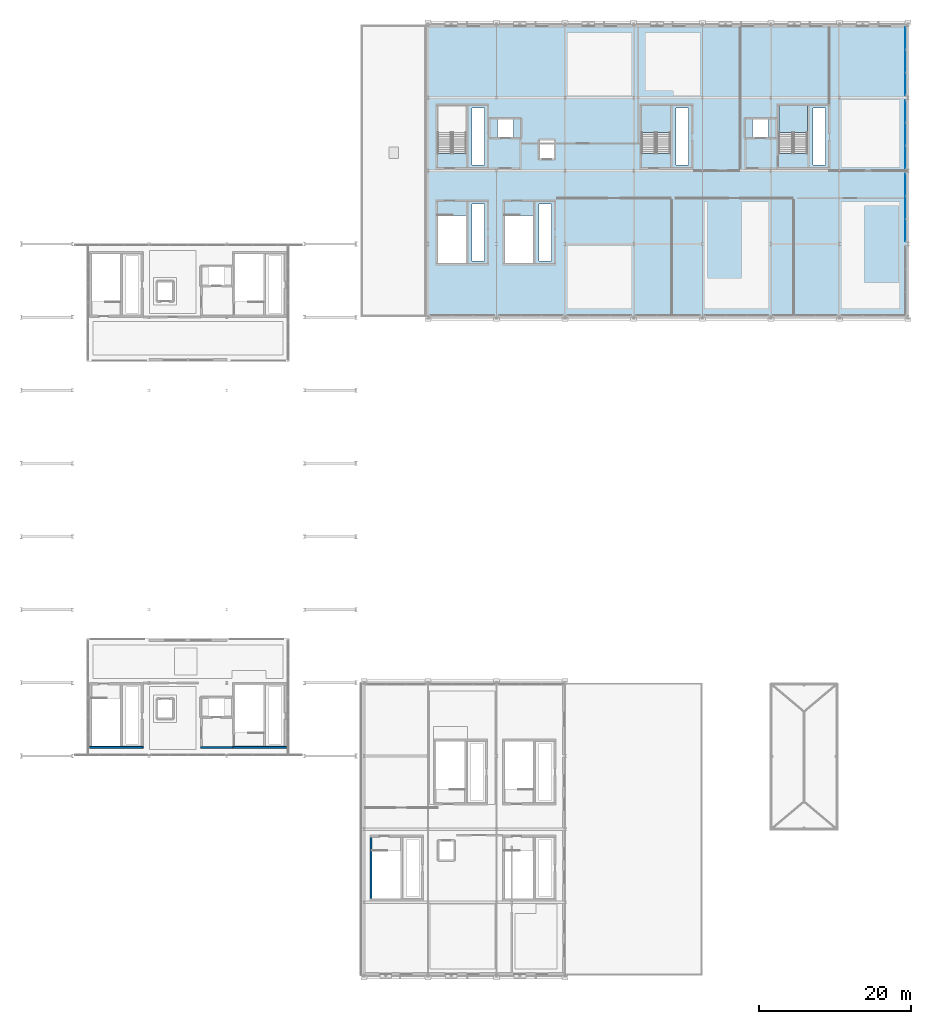
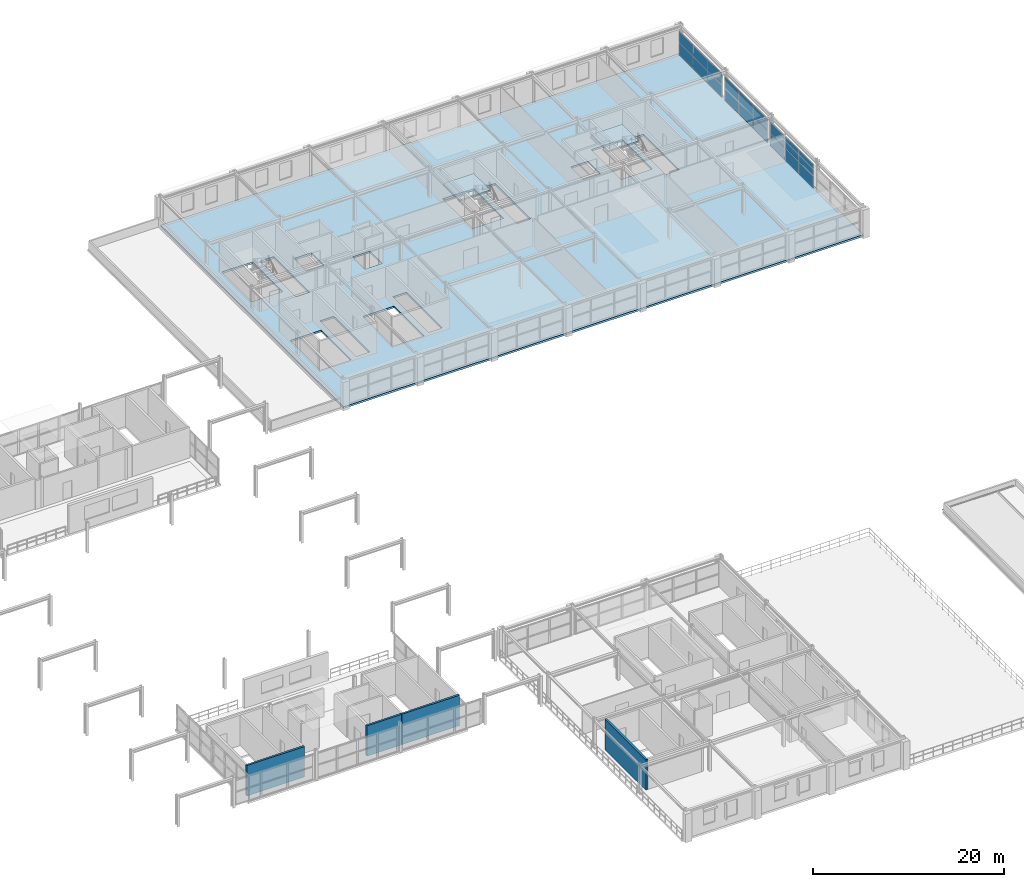
# One storey, part 33 of 52: 18 plates, 4 walls, 3 slabs, 5 elements without a shape of their own.
"""IFC4 building model written with IfcOpenShell, lengths in metres."""

from ifc_helpers import new_model, si_unit, direction, frame, frame_2d, origin, origin_2d, place, context, subcontext, project, spatial, polyline, rectangle, outline, extrude, material, layer, layer_set, type_object, element, aggregate, save


model = new_model("IFC4")

# Units and contexts
model_context = context("Model", 3, precision=1e-05, world=origin(), true_north=direction((0.0, 1.0)))
body_context = subcontext(model_context, "Body", "Model", "MODEL_VIEW")
ifc_project = project(units=[si_unit("LENGTHUNIT", "METRE"), si_unit("AREAUNIT", "SQUARE_METRE"), si_unit("VOLUMEUNIT", "CUBIC_METRE"), si_unit("PLANEANGLEUNIT", "RADIAN"), si_unit("MASSUNIT", "GRAM", prefix="KILO")], contexts=[model_context])

# Site, building, storey
site_placement = place(None, origin())
site = spatial("IfcSite", under=ifc_project, at=site_placement, CompositionType="ELEMENT")
building_placement = place(site_placement, origin())
building = spatial("IfcBuilding", under=site, at=building_placement, Name="Myrtia Square Station", CompositionType="ELEMENT")
storey_placement = place(building_placement, frame((0.0, 0.0, 15.0)))
storey = spatial("IfcBuildingStorey", under=building, at=storey_placement, Name="L03", CompositionType="ELEMENT", Elevation=15.0)

# Curtain wall, plates
ifc_material_1 = material(Name="Dark bronze anodised aluminium", Category="aluminium")
ifc_layer_1 = layer(ifc_material_1, 0.159912109375, Name="Dark bronze anodised aluminium")
ifc_layer_set_1 = layer_set([ifc_layer_1], Name="Dark bronze anodised aluminium")
curtain_wall_type = type_object("IfcCurtainWallType", Name="CW-TYPE-50-905x320", PredefinedType="USERDEFINED", material=ifc_layer_set_1)
curtain_wall_1_placement = place(storey_placement, origin())
curtain_wall_1 = element("IfcCurtainWall", 1, at=curtain_wall_1_placement, inside=storey, type_object=curtain_wall_type, Name="Concourse curtain wall CW-L03-163", ObjectType="CONCOURSE CURTAIN WALL", PredefinedType="USERDEFINED")
ifc_material_2 = material(Name="Tinted low-E solar control glass", Category="glass")
ifc_layer_2 = layer(ifc_material_2, 0.028076171875, Name="Tinted low-E solar control glass")
ifc_layer_set_2 = layer_set([ifc_layer_2], Name="Tinted low-E solar control glass")
plate_type_1 = type_object("IfcPlateType", Name="CWP-GLZ-28", PredefinedType="CURTAIN_PANEL", material=ifc_layer_set_2)
plate_1_placement = place(storey_placement, frame((188.64990234375, 107.402099609375, 0.0751953125), z_axis=(0.0, 0.0, 1.0), x_axis=(0.0, 1.0, 0.0)))
plate_1 = element("IfcPlate", 2, at=plate_1_placement, type_object=plate_type_1, Name="CW-163 panel 1.1", PredefinedType="CURTAIN_PANEL", context=body_context, shape_type="SweptSolid", body=[
    extrude(rectangle(XDim=2.904052734375, YDim=0.028076171875, at=origin_2d()), origin(), (0.0, 0.0, 1.0), 1.551513671875),
])
plate_2_placement = place(storey_placement, frame((188.64990234375, 107.402099609375, 1.70166015625), z_axis=(0.0, 0.0, 1.0), x_axis=(0.0, 1.0, 0.0)))
plate_2 = element("IfcPlate", 3, at=plate_2_placement, type_object=plate_type_1, Name="CW-163 panel 1.2", PredefinedType="CURTAIN_PANEL", context=body_context, shape_type="SweptSolid", body=[
    extrude(rectangle(XDim=2.904052734375, YDim=0.028076171875, at=origin_2d()), origin(), (0.0, 0.0, 1.0), 1.423583984375),
])
plate_3_placement = place(storey_placement, frame((188.64990234375, 110.39990234375, 0.0751953125), z_axis=(0.0, 0.0, 1.0), x_axis=(0.0, 1.0, 0.0)))
plate_3 = element("IfcPlate", 4, at=plate_3_placement, type_object=plate_type_1, Name="CW-163 panel 2.1", PredefinedType="CURTAIN_PANEL", context=body_context, shape_type="SweptSolid", body=[
    extrude(rectangle(XDim=2.941650390625, YDim=0.028076171875, at=origin_2d()), origin(), (0.0, 0.0, 1.0), 1.551513671875),
])
plate_4_placement = place(storey_placement, frame((188.64990234375, 110.39990234375, 1.70166015625), z_axis=(0.0, 0.0, 1.0), x_axis=(0.0, 1.0, 0.0)))
plate_4 = element("IfcPlate", 5, at=plate_4_placement, type_object=plate_type_1, Name="CW-163 panel 2.2", PredefinedType="CURTAIN_PANEL", context=body_context, shape_type="SweptSolid", body=[
    extrude(rectangle(XDim=2.941650390625, YDim=0.028076171875, at=origin_2d()), origin(), (0.0, 0.0, 1.0), 1.423583984375),
])
plate_5_placement = place(storey_placement, frame((188.64990234375, 113.39794921875, 0.0751953125), z_axis=(0.0, 0.0, 1.0), x_axis=(0.0, 1.0, 0.0)))
plate_5 = element("IfcPlate", 6, at=plate_5_placement, type_object=plate_type_1, Name="CW-163 panel 3.1", PredefinedType="CURTAIN_PANEL", context=body_context, shape_type="SweptSolid", body=[
    extrude(rectangle(XDim=2.904052734375, YDim=0.028076171875, at=origin_2d()), origin(), (0.0, 0.0, 1.0), 1.551513671875),
])
plate_6_placement = place(storey_placement, frame((188.64990234375, 113.39794921875, 1.70166015625), z_axis=(0.0, 0.0, 1.0), x_axis=(0.0, 1.0, 0.0)))
plate_6 = element("IfcPlate", 7, at=plate_6_placement, type_object=plate_type_1, Name="CW-163 panel 3.2", PredefinedType="CURTAIN_PANEL", context=body_context, shape_type="SweptSolid", body=[
    extrude(rectangle(XDim=2.904052734375, YDim=0.028076171875, at=origin_2d()), origin(), (0.0, 0.0, 1.0), 1.423583984375),
])
aggregate(curtain_wall_1, [plate_1, plate_2, plate_3, plate_4, plate_5, plate_6])

curtain_wall_2_placement = place(storey_placement, origin())
curtain_wall_2 = element("IfcCurtainWall", 8, at=curtain_wall_2_placement, inside=storey, type_object=curtain_wall_type, Name="Concourse curtain wall CW-L03-161", ObjectType="CONCOURSE CURTAIN WALL", PredefinedType="USERDEFINED")
ifc_layer_3 = layer(ifc_material_2, 0.035888671875, Name="Tinted low-E solar control glass")
ifc_layer_set_3 = layer_set([ifc_layer_3], Name="Tinted low-E solar control glass")
plate_type_2 = type_object("IfcPlateType", Name="CWP-GLZ-36", PredefinedType="CURTAIN_PANEL", material=ifc_layer_set_3)
plate_7_placement = place(storey_placement, frame((188.64990234375, 97.802001953125, 0.0751953125), z_axis=(0.0, 0.0, 1.0), x_axis=(0.0, 1.0, 0.0)))
plate_7 = element("IfcPlate", 9, at=plate_7_placement, type_object=plate_type_2, Name="CW-161 panel 1.1", PredefinedType="CURTAIN_PANEL", context=body_context, shape_type="SweptSolid", body=[
    extrude(rectangle(XDim=2.904052734375, YDim=0.035888671875, at=origin_2d()), origin(), (0.0, 0.0, 1.0), 1.551513671875),
])
plate_8_placement = place(storey_placement, frame((188.64990234375, 97.802001953125, 1.70166015625), z_axis=(0.0, 0.0, 1.0), x_axis=(0.0, 1.0, 0.0)))
plate_8 = element("IfcPlate", 10, at=plate_8_placement, type_object=plate_type_2, Name="CW-161 panel 1.2", PredefinedType="CURTAIN_PANEL", context=body_context, shape_type="SweptSolid", body=[
    extrude(rectangle(XDim=2.904052734375, YDim=0.035888671875, at=origin_2d()), origin(), (0.0, 0.0, 1.0), 1.423583984375),
])
plate_9_placement = place(storey_placement, frame((188.64990234375, 100.800048828125, 0.0751953125), z_axis=(0.0, 0.0, 1.0), x_axis=(0.0, 1.0, 0.0)))
plate_9 = element("IfcPlate", 11, at=plate_9_placement, type_object=plate_type_2, Name="CW-161 panel 2.1", PredefinedType="CURTAIN_PANEL", context=body_context, shape_type="SweptSolid", body=[
    extrude(rectangle(XDim=2.941650390625, YDim=0.035888671875, at=origin_2d()), origin(), (0.0, 0.0, 1.0), 1.551513671875),
])
plate_10_placement = place(storey_placement, frame((188.64990234375, 100.800048828125, 1.70166015625), z_axis=(0.0, 0.0, 1.0), x_axis=(0.0, 1.0, 0.0)))
plate_10 = element("IfcPlate", 12, at=plate_10_placement, type_object=plate_type_2, Name="CW-161 panel 2.2", PredefinedType="CURTAIN_PANEL", context=body_context, shape_type="SweptSolid", body=[
    extrude(rectangle(XDim=2.941650390625, YDim=0.035888671875, at=origin_2d()), origin(), (0.0, 0.0, 1.0), 1.423583984375),
])
plate_11_placement = place(storey_placement, frame((188.64990234375, 103.7978515625, 0.0751953125), z_axis=(0.0, 0.0, 1.0), x_axis=(0.0, 1.0, 0.0)))
plate_11 = element("IfcPlate", 13, at=plate_11_placement, type_object=plate_type_2, Name="CW-161 panel 3.1", PredefinedType="CURTAIN_PANEL", context=body_context, shape_type="SweptSolid", body=[
    extrude(rectangle(XDim=2.904052734375, YDim=0.035888671875, at=origin_2d()), origin(), (0.0, 0.0, 1.0), 1.551513671875),
])
plate_12_placement = place(storey_placement, frame((188.64990234375, 103.7978515625, 1.70166015625), z_axis=(0.0, 0.0, 1.0), x_axis=(0.0, 1.0, 0.0)))
plate_12 = element("IfcPlate", 14, at=plate_12_placement, type_object=plate_type_2, Name="CW-161 panel 3.2", PredefinedType="CURTAIN_PANEL", context=body_context, shape_type="SweptSolid", body=[
    extrude(rectangle(XDim=2.904052734375, YDim=0.035888671875, at=origin_2d()), origin(), (0.0, 0.0, 1.0), 1.423583984375),
])
aggregate(curtain_wall_2, [plate_7, plate_8, plate_9, plate_10, plate_11, plate_12])

curtain_wall_3_placement = place(storey_placement, origin())
curtain_wall_3 = element("IfcCurtainWall", 15, at=curtain_wall_3_placement, inside=storey, type_object=curtain_wall_type, Name="Concourse curtain wall CW-L03-165", ObjectType="CONCOURSE CURTAIN WALL", PredefinedType="USERDEFINED")
plate_13_placement = place(storey_placement, frame((188.64990234375, 117.002197265625, 0.0751953125), z_axis=(0.0, 0.0, 1.0), x_axis=(0.0, 1.0, 0.0)))
plate_13 = element("IfcPlate", 16, at=plate_13_placement, type_object=plate_type_2, Name="CW-165 panel 1.1", PredefinedType="CURTAIN_PANEL", context=body_context, shape_type="SweptSolid", body=[
    extrude(rectangle(XDim=2.904052734375, YDim=0.035888671875, at=origin_2d()), origin(), (0.0, 0.0, 1.0), 1.551513671875),
])
plate_14_placement = place(storey_placement, frame((188.64990234375, 117.002197265625, 1.70166015625), z_axis=(0.0, 0.0, 1.0), x_axis=(0.0, 1.0, 0.0)))
plate_14 = element("IfcPlate", 17, at=plate_14_placement, type_object=plate_type_2, Name="CW-165 panel 1.2", PredefinedType="CURTAIN_PANEL", context=body_context, shape_type="SweptSolid", body=[
    extrude(rectangle(XDim=2.904052734375, YDim=0.035888671875, at=origin_2d()), origin(), (0.0, 0.0, 1.0), 1.423583984375),
])
plate_15_placement = place(storey_placement, frame((188.64990234375, 120.0, 0.0751953125), z_axis=(0.0, 0.0, 1.0), x_axis=(0.0, 1.0, 0.0)))
plate_15 = element("IfcPlate", 18, at=plate_15_placement, type_object=plate_type_2, Name="CW-165 panel 2.1", PredefinedType="CURTAIN_PANEL", context=body_context, shape_type="SweptSolid", body=[
    extrude(rectangle(XDim=2.941650390625, YDim=0.035888671875, at=origin_2d()), origin(), (0.0, 0.0, 1.0), 1.551513671875),
])
plate_16_placement = place(storey_placement, frame((188.64990234375, 120.0, 1.70166015625), z_axis=(0.0, 0.0, 1.0), x_axis=(0.0, 1.0, 0.0)))
plate_16 = element("IfcPlate", 19, at=plate_16_placement, type_object=plate_type_2, Name="CW-165 panel 2.2", PredefinedType="CURTAIN_PANEL", context=body_context, shape_type="SweptSolid", body=[
    extrude(rectangle(XDim=2.941650390625, YDim=0.035888671875, at=origin_2d()), origin(), (0.0, 0.0, 1.0), 1.423583984375),
])
plate_17_placement = place(storey_placement, frame((188.64990234375, 122.997802734375, 0.0751953125), z_axis=(0.0, 0.0, 1.0), x_axis=(0.0, 1.0, 0.0)))
plate_17 = element("IfcPlate", 20, at=plate_17_placement, type_object=plate_type_2, Name="CW-165 panel 3.1", PredefinedType="CURTAIN_PANEL", context=body_context, shape_type="SweptSolid", body=[
    extrude(rectangle(XDim=2.904052734375, YDim=0.035888671875, at=origin_2d()), origin(), (0.0, 0.0, 1.0), 1.551513671875),
])
plate_18_placement = place(storey_placement, frame((188.64990234375, 122.997802734375, 1.70166015625), z_axis=(0.0, 0.0, 1.0), x_axis=(0.0, 1.0, 0.0)))
plate_18 = element("IfcPlate", 21, at=plate_18_placement, type_object=plate_type_2, Name="CW-165 panel 3.2", PredefinedType="CURTAIN_PANEL", context=body_context, shape_type="SweptSolid", body=[
    extrude(rectangle(XDim=2.904052734375, YDim=0.035888671875, at=origin_2d()), origin(), (0.0, 0.0, 1.0), 1.423583984375),
])
aggregate(curtain_wall_3, [plate_13, plate_14, plate_15, plate_16, plate_17, plate_18])

# Slab
ifc_material_3 = material(Name="Concrete C35/45", Category="concrete")
ifc_layer_4 = layer(ifc_material_3, 0.239990234375, Name="Concrete C35/45")
ifc_layer_set_4 = layer_set([ifc_layer_4], Name="Concrete C35/45")
slab_type_1 = type_object("IfcSlabType", Name="SLB-FLR-240", PredefinedType="FLOOR", material=ifc_layer_set_4)
slab_1_placement = place(storey_placement, frame((0.0, 0.0, -0.239990234375)))
element("IfcSlab", 22, at=slab_1_placement, inside=storey, type_object=slab_type_1, Name="Structural floor slab SLB-L03-V5", PredefinedType="FLOOR", context=body_context, shape_type="SweptSolid", body=[
    extrude(outline(polyline([(126.0, 86.39990234375), (189.0, 86.39990234375), (189.0, 124.800048828125), (126.0, 124.800048828125), (126.0, 86.39990234375)]), holes=[polyline([(131.75, 106.35009765625), (131.75, 113.85009765625), (133.39990234375, 113.85009765625), (133.39990234375, 106.35009765625), (131.75, 106.35009765625)]), polyline([(176.550048828125, 106.35009765625), (176.550048828125, 113.85009765625), (178.199951171875, 113.85009765625), (178.199951171875, 106.35009765625), (176.550048828125, 106.35009765625)]), polyline([(131.75, 93.75), (131.75, 101.25), (133.39990234375, 101.25), (133.39990234375, 93.75), (131.75, 93.75)]), polyline([(140.550048828125, 93.75), (140.550048828125, 101.25), (142.199951171875, 101.25), (142.199951171875, 93.75), (140.550048828125, 93.75)]), polyline([(158.550048828125, 106.35009765625), (158.550048828125, 113.85009765625), (160.199951171875, 113.85009765625), (160.199951171875, 106.35009765625), (158.550048828125, 106.35009765625)]), polyline([(127.25, 107.8798828125), (127.25, 114.14990234375), (131.010009765625, 114.14990234375), (131.010009765625, 107.8798828125), (127.25, 107.8798828125)]), polyline([(172.050048828125, 107.8798828125), (172.050048828125, 114.14990234375), (175.81005859375, 114.14990234375), (175.81005859375, 107.8798828125), (172.050048828125, 107.8798828125)]), polyline([(127.25, 93.449951171875), (127.25, 99.719970703125), (131.010009765625, 99.719970703125), (131.010009765625, 93.449951171875), (127.25, 93.449951171875)]), polyline([(136.050048828125, 93.449951171875), (136.050048828125, 99.719970703125), (139.81005859375, 99.719970703125), (139.81005859375, 93.449951171875), (136.050048828125, 93.449951171875)]), polyline([(154.050048828125, 107.8798828125), (154.050048828125, 114.14990234375), (157.81005859375, 114.14990234375), (157.81005859375, 107.8798828125), (154.050048828125, 107.8798828125)]), polyline([(140.550048828125, 107.10009765625), (140.550048828125, 109.699951171875), (142.64990234375, 109.699951171875), (142.64990234375, 107.10009765625), (140.550048828125, 107.10009765625)]), polyline([(135.10009765625, 109.889892578125), (135.10009765625, 112.489990234375), (137.199951171875, 112.489990234375), (137.199951171875, 109.889892578125), (135.10009765625, 109.889892578125)]), polyline([(168.60009765625, 109.889892578125), (168.60009765625, 112.489990234375), (170.699951171875, 112.489990234375), (170.699951171875, 109.889892578125), (168.60009765625, 109.889892578125)])]), origin(), (0.0, 0.0, 1.0), 0.239990234375),
])

# Stair, slab
stair_type = type_object("IfcStairType", Name="STR-05-22R-1800W", PredefinedType="HALF_TURN_STAIR", material=ifc_material_3)
stair_1_placement = place(storey_placement, origin())
stair_1 = element("IfcStair", 23, at=stair_1_placement, inside=storey, type_object=stair_type, Name="L03 Core escape stair ST08", PredefinedType="HALF_TURN_STAIR")
ifc_layer_5 = layer(ifc_material_3, 0.199951171875, Name="Concrete C35/45")
ifc_layer_set_5 = layer_set([ifc_layer_5], Name="Concrete C35/45")
slab_type_2 = type_object("IfcSlabType", Name="SLB-LAND-200", PredefinedType="LANDING", material=ifc_layer_set_5)
slab_2_placement = place(storey_placement, frame((0.0, 0.0, 1.75)))
slab_2 = element("IfcSlab", 24, at=slab_2_placement, type_object=slab_type_2, Name="ST08 landing 1", PredefinedType="LANDING", context=body_context, shape_type="SweptSolid", body=[
    extrude(outline(polyline([(175.81005859375, 110.64990234375), (175.81005859375, 114.14990234375), (172.050048828125, 114.14990234375), (172.050048828125, 110.64990234375), (175.81005859375, 110.64990234375)])), origin(), (0.0, 0.0, 1.0), 0.199951171875),
])
aggregate(stair_1, [slab_2])

stair_2_placement = place(storey_placement, origin())
stair_2 = element("IfcStair", 25, at=stair_2_placement, inside=storey, type_object=stair_type, Name="L03 Core escape stair ST15", PredefinedType="HALF_TURN_STAIR")
slab_3_placement = place(storey_placement, frame((0.0, 0.0, 1.75)))
slab_3 = element("IfcSlab", 26, at=slab_3_placement, type_object=slab_type_2, Name="ST15 landing 1", PredefinedType="LANDING", context=body_context, shape_type="SweptSolid", body=[
    extrude(outline(polyline([(157.81005859375, 110.64990234375), (157.81005859375, 114.14990234375), (154.050048828125, 114.14990234375), (154.050048828125, 110.64990234375), (157.81005859375, 110.64990234375)])), origin(), (0.0, 0.0, 1.0), 0.199951171875),
])
aggregate(stair_2, [slab_3])

# Walls
ifc_layer_6 = layer(ifc_material_3, 0.25, Name="Concrete C35/45")
ifc_layer_set_6 = layer_set([ifc_layer_6], Name="Concrete C35/45")
wall_type_1 = type_object("IfcWallType", Name="WL-CORE-250", PredefinedType="SHEAR", material=ifc_layer_set_6)
for number, where, z_axis, x_axis, name in (
    (27, (81.60009765625, 29.925048828125, 0.0), (0.0, 0.0, 1.0), (1.0, 0.0, 0.0), "Core K1 shear wall L03 S"),
    (28, (100.39990234375, 29.925048828125, 0.0), (0.0, 0.0, 1.0), (1.0, 0.0, 0.0), "Core K3 shear wall L03 S"),
):
    element("IfcWall", number, at=place(storey_placement, frame(where, z_axis=z_axis, x_axis=x_axis)), inside=storey, type_object=wall_type_1, Name=name, PredefinedType="SHEAR", context=body_context, shape_type="SweptSolid", body=[
        extrude(rectangle(XDim=7.0, YDim=0.25, at=frame_2d((3.5, 0.0))), origin(), (0.0, 0.0, 1.0), 3.89990234375),
    ])
wall_1_placement = place(storey_placement, frame((118.52490234375, 9.800048828125, 0.0), z_axis=(0.0, 0.0, 1.0), x_axis=(0.0, 1.0, 0.0)))
element("IfcWall", 29, at=wall_1_placement, inside=storey, type_object=wall_type_1, Name="Core K5 shear wall L03 W", PredefinedType="SHEAR", context=body_context, shape_type="SweptSolid", body=[
    extrude(rectangle(XDim=8.599853515625, YDim=0.25, at=frame_2d((4.2998046875, 0.0))), origin(), (0.0, 0.0, 1.0), 3.89990234375),
])
ifc_layer_7 = layer(ifc_material_3, 0.239990234375, Name="Concrete C35/45")
ifc_layer_set_7 = layer_set([ifc_layer_7], Name="Concrete C35/45")
wall_type_2 = type_object("IfcWallType", Name="WL-FFL-240", PredefinedType="SHEAR", material=ifc_layer_set_7)
wall_2_placement = place(storey_placement, frame((96.14990234375, 29.919921875, 0.0), z_axis=(0.0, 0.0, 1.0), x_axis=(1.0, 0.0, 0.0)))
element("IfcWall", 30, at=wall_2_placement, inside=storey, type_object=wall_type_2, Name="Firefighting lift lobby EI 120 wall K3 L03 S", PredefinedType="SHEAR", context=body_context, shape_type="SweptSolid", body=[
    extrude(rectangle(XDim=4.2001953125, YDim=0.239990234375, at=frame_2d((2.10009765625, 0.0))), origin(), (0.0, 0.0, 1.0), 3.89990234375),
])

save(model, "model.ifc")
